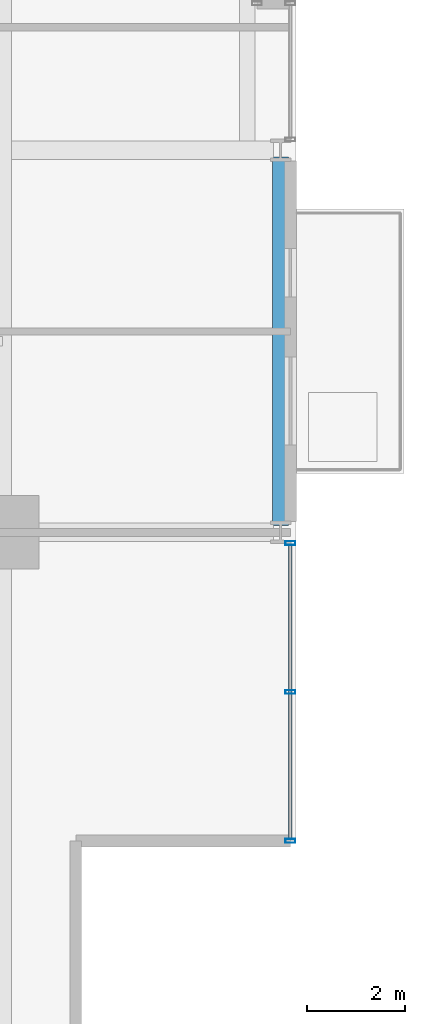
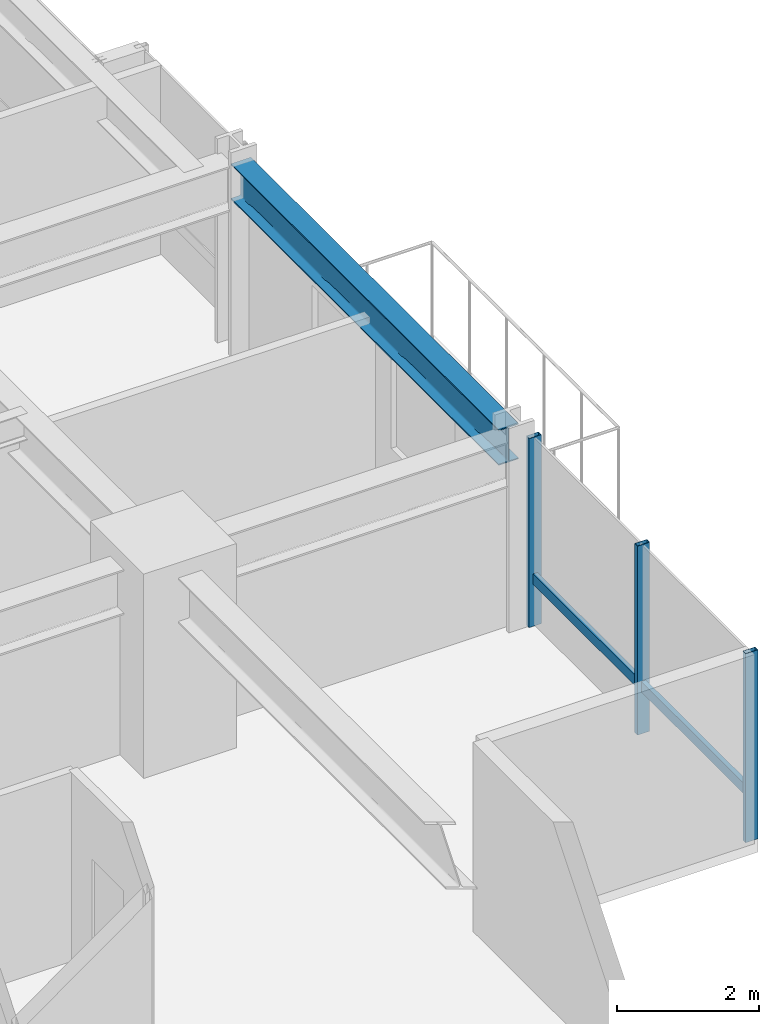
# One storey, part 13 of 35: 4 members, 1 beam, 1 element without a shape of its own.
"""IFC4 building model written with IfcOpenShell, lengths in metres."""

from ifc_helpers import new_model, si_unit, direction, frame, origin, origin_2d, place, context, subcontext, project, spatial, hollow_rectangle, i_section, extrude, material, layer, layer_set, material_profile, profile_set, type_object, element, aggregate, save


model = new_model("IFC4")

# Units and contexts
model_context = context("Model", 3, precision=1e-05, world=origin(), true_north=direction((0.0, 1.0)))
body_context = subcontext(model_context, "Body", "Model", "MODEL_VIEW")
ifc_project = project(units=[si_unit("LENGTHUNIT", "METRE"), si_unit("AREAUNIT", "SQUARE_METRE"), si_unit("VOLUMEUNIT", "CUBIC_METRE"), si_unit("PLANEANGLEUNIT", "RADIAN"), si_unit("MASSUNIT", "GRAM", prefix="KILO")], contexts=[model_context])

# Site, building, storey
site_placement = place(None, origin())
site = spatial("IfcSite", under=ifc_project, at=site_placement, CompositionType="ELEMENT")
building_placement = place(site_placement, origin())
building = spatial("IfcBuilding", under=site, at=building_placement, Name="Drelvath Grand Hotel", CompositionType="ELEMENT")
storey_placement = place(building_placement, frame((0.0, 0.0, 98.800048828125)))
storey = spatial("IfcBuildingStorey", under=building, at=storey_placement, Name="L24", CompositionType="ELEMENT", Elevation=98.800048828125)

# Curtain wall, members
ifc_material_1 = material(Name="Champagne Bronze Anodised Aluminium Frame", Category="aluminium")
ifc_layer = layer(ifc_material_1, 0.199951171875)
ifc_layer_set = layer_set([ifc_layer], Name="Champagne Bronze Anodised Aluminium Frame")
curtain_wall_type = type_object("IfcCurtainWallType", Name="Stick Curtain Wall CW-03 Champagne Bronze Mid-Rise", PredefinedType="NOTDEFINED", material=ifc_layer_set)
curtain_wall_placement = place(storey_placement, origin())
curtain_wall = element("IfcCurtainWall", 1, at=curtain_wall_placement, inside=storey, type_object=curtain_wall_type, Name="L24 CW-03 Curtain Wall CW03-L24-ES1", PredefinedType="NOTDEFINED")
ifc_material_profile_1 = material_profile(ifc_material_1, hollow_rectangle(XDim=0.074951171875, YDim=0.179931640625, WallThickness=0.0048828125, at=origin_2d()), Name="HSS180X75X5")
ifc_profile_set_1 = profile_set([ifc_material_profile_1], Name="Champagne Bronze Anodised Aluminium Frame")
member_type_1 = type_object("IfcMemberType", Name="Curtain Wall Horizontal Transom CW-03 HSS180X75X5", PredefinedType="USERDEFINED", material=ifc_profile_set_1)
member_1_placement = place(storey_placement, frame((22.080078125, 10.540283203125, 0.81005859375), z_axis=(0.0, -1.0, 0.0), x_axis=(1.0, 0.0, 0.0)))
member_1 = element("IfcMember", 2, at=member_1_placement, type_object=member_type_1, Name="CW03-L24-ES1 Sill Transom", ObjectType="TRANSOM", PredefinedType="USERDEFINED", context=body_context, shape_type="SweptSolid", body=[
    extrude(hollow_rectangle(XDim=0.074951171875, YDim=0.179931640625, WallThickness=0.0048828125, at=origin_2d()), origin(), (0.0, 0.0, 1.0), 6.000244140625),
])
ifc_material_profile_2 = material_profile(ifc_material_1, hollow_rectangle(XDim=0.080078125, YDim=0.199951171875, WallThickness=0.0048828125, at=origin_2d()), Name="HSS200X80X5")
ifc_profile_set_2 = profile_set([ifc_material_profile_2], Name="Champagne Bronze Anodised Aluminium Frame")
member_type_2 = type_object("IfcMemberType", Name="Curtain Wall Vertical Mullion CW-03 HSS200X80X5", PredefinedType="MULLION", material=ifc_profile_set_2)
member_2_placement = place(storey_placement, frame((22.080078125, 10.580322265625, 0.0), z_axis=(0.0, 0.0, 1.0), x_axis=(0.0, 1.0, 0.0)))
member_2 = element("IfcMember", 3, at=member_2_placement, type_object=member_type_2, Name="CW03-L24-ES1 Mullion 1", PredefinedType="MULLION", context=body_context, shape_type="SweptSolid", body=[
    extrude(hollow_rectangle(XDim=0.080078125, YDim=0.199951171875, WallThickness=0.0048828125, at=origin_2d()), origin(), (0.0, 0.0, 1.0), 3.239990234375),
])
member_3_placement = place(storey_placement, frame((22.080078125, 7.540283203125, 0.0), z_axis=(0.0, 0.0, 1.0), x_axis=(0.0, 1.0, 0.0)))
member_3 = element("IfcMember", 4, at=member_3_placement, type_object=member_type_2, Name="CW03-L24-ES1 Mullion 2", PredefinedType="MULLION", context=body_context, shape_type="SweptSolid", body=[
    extrude(hollow_rectangle(XDim=0.080078125, YDim=0.199951171875, WallThickness=0.0048828125, at=origin_2d()), origin(), (0.0, 0.0, 1.0), 3.239990234375),
])
member_4_placement = place(storey_placement, frame((22.080078125, 4.5, 0.0), z_axis=(0.0, 0.0, 1.0), x_axis=(0.0, 1.0, 0.0)))
member_4 = element("IfcMember", 5, at=member_4_placement, type_object=member_type_2, Name="CW03-L24-ES1 Mullion 3", PredefinedType="MULLION", context=body_context, shape_type="SweptSolid", body=[
    extrude(hollow_rectangle(XDim=0.080078125, YDim=0.199951171875, WallThickness=0.0048828125, at=origin_2d()), origin(), (0.0, 0.0, 1.0), 3.239990234375),
])
aggregate(curtain_wall, [member_2, member_3, member_4, member_1])

# Beam
ifc_material_2 = material(Name="Steel ASTM A992 Gr 50", Category="steel")
ifc_material_profile_3 = material_profile(ifc_material_2, i_section(OverallWidth=0.323974609375, OverallDepth=0.611083984375, WebThickness=0.0126953125, FlangeThickness=0.01904296875, FilletRadius=0.02197265625, at=origin_2d()), Name="W24X104")
ifc_profile_set_3 = profile_set([ifc_material_profile_3], Name="Steel ASTM A992 Gr 50")
beam_type = type_object("IfcBeamType", Name="Perimeter Spandrel Beam W24X104", PredefinedType="SPANDREL", material=ifc_profile_set_3)
beam_placement = place(storey_placement, frame((21.8798828125, 10.93994140625, 2.9345703125), z_axis=(0.0, 1.0, 0.0), x_axis=(-1.0, 0.0, 0.0)))
element("IfcBeam", 6, at=beam_placement, inside=storey, type_object=beam_type, Name="L24 Spandrel East S", PredefinedType="SPANDREL", context=body_context, shape_type="SweptSolid", body=[
    extrude(i_section(OverallWidth=0.323974609375, OverallDepth=0.611083984375, WebThickness=0.0126953125, FlangeThickness=0.01904296875, FilletRadius=0.02197265625, at=origin_2d()), origin(), (0.0, 0.0, 1.0), 7.52001953125),
])

save(model, "model.ifc")
